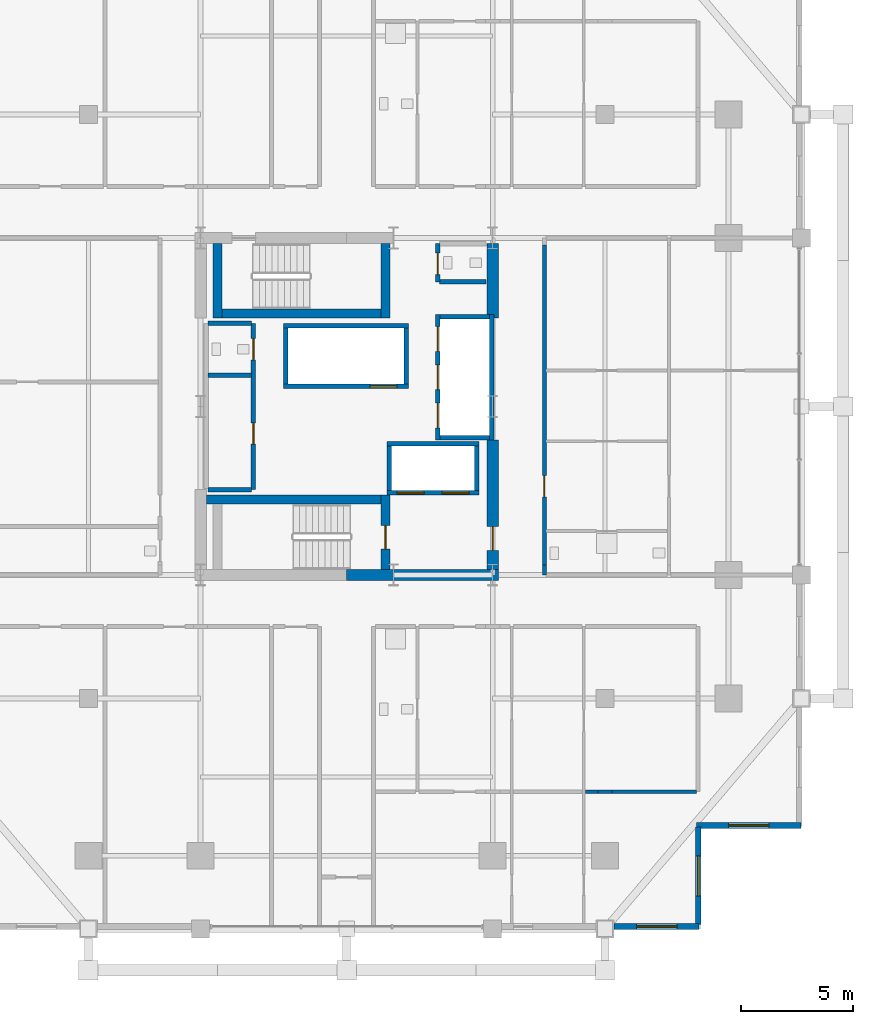
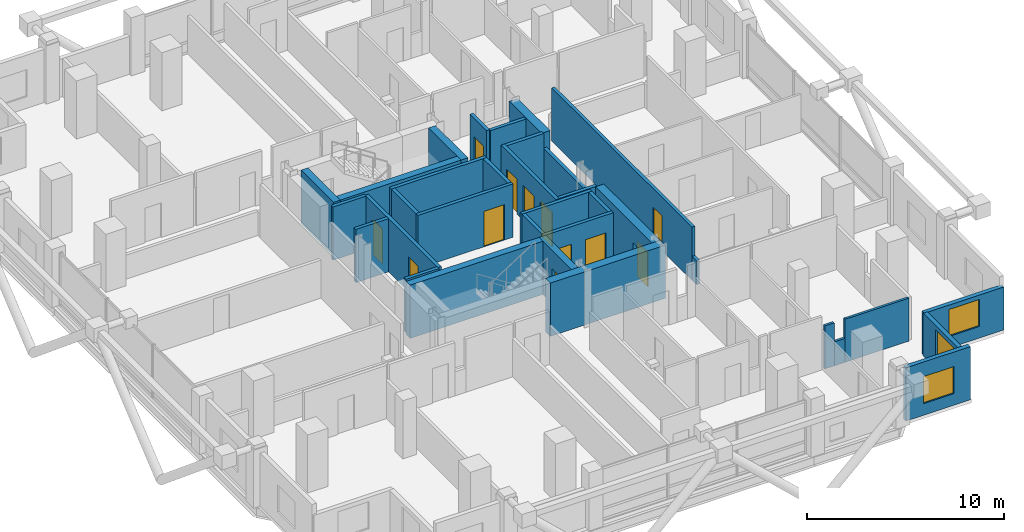
# One storey, part 20 of 25: 34 walls, 12 doors, 3 windows, 15 openings.
"""IFC4 building model written with IfcOpenShell, lengths in metres."""

from ifc_helpers import new_model, si_unit, direction, frame, frame_2d, origin, place, context, subcontext, project, spatial, rectangle, extrude, material, layer, layer_set, type_object, element, fill, save


model = new_model("IFC4")

# Units and contexts
model_context = context("Model", 3, precision=1e-05, world=origin(), true_north=direction((0.0, 1.0)))
body_context = subcontext(model_context, "Body", "Model", "MODEL_VIEW")
ifc_project = project(units=[si_unit("LENGTHUNIT", "METRE"), si_unit("AREAUNIT", "SQUARE_METRE"), si_unit("VOLUMEUNIT", "CUBIC_METRE"), si_unit("PLANEANGLEUNIT", "RADIAN"), si_unit("MASSUNIT", "GRAM", prefix="KILO")], contexts=[model_context])

# Site, building, storey
site_placement = place(None, origin())
site = spatial("IfcSite", under=ifc_project, at=site_placement, CompositionType="ELEMENT")
building_placement = place(site_placement, origin())
building = spatial("IfcBuilding", under=site, at=building_placement, Name="Barlavira Tower and Art Museum", CompositionType="ELEMENT")
storey_placement = place(building_placement, frame((0.0, 0.0, 162.0)))
storey = spatial("IfcBuildingStorey", under=building, at=storey_placement, Name="L41", CompositionType="ELEMENT", Elevation=162.0)

# Wall
ifc_material_1 = material(Name="Concrete C60", Category="concrete")
ifc_layer_1 = layer(ifc_material_1, 0.5, Name="Concrete C60")
ifc_layer_set_1 = layer_set([ifc_layer_1], Name="Concrete C60")
wall_type_1 = type_object("IfcWallType", Name="Core Structural Shear Wall 500 Concrete C60", PredefinedType="SHEAR", material=ifc_layer_set_1)
wall_1_placement = place(storey_placement, frame((0.0, -7.5, 0.0), z_axis=(0.0, 0.0, 1.0), x_axis=(1.0, 0.0, 0.0)))
element("IfcWall", 1, at=wall_1_placement, inside=storey, type_object=wall_type_1, Name="L41 Core Shear Wall CS-SE", PredefinedType="SHEAR", context=body_context, shape_type="SweptSolid", body=[
    extrude(rectangle(XDim=6.75, YDim=0.5, at=frame_2d((3.375, 0.0))), origin(), (0.0, 0.0, 1.0), 3.300048828125),
])

# Wall, opening, door
wall_2_placement = place(storey_placement, frame((6.5, -7.25, 0.0), z_axis=(0.0, 0.0, 1.0), x_axis=(0.0, 1.0, 0.0)))
wall_2 = element("IfcWall", 2, at=wall_2_placement, inside=storey, type_object=wall_type_1, Name="L41 Core Shear Wall CS-E1", PredefinedType="SHEAR", context=body_context, shape_type="SweptSolid", body=[
    extrude(rectangle(XDim=5.75, YDim=0.5, at=frame_2d((2.875, 0.0))), origin(), (0.0, 0.0, 1.0), 3.300048828125),
])
opening_1_placement = place(wall_2_placement, frame((0.85009765625, 0.0, 0.0)))
opening_1 = element("IfcOpeningElement", 3, at=opening_1_placement, cuts=wall_2, Name="Opening FD-90", PredefinedType="OPENING", context=body_context, shape_type="SweptSolid", body=[
    extrude(rectangle(XDim=1.050048828125, YDim=2.14990234375, at=frame_2d((0.52490234375, 1.074951171875))), frame((0.0, 0.260009765625, 0.0), z_axis=(0.0, -1.0, 0.0), x_axis=(1.0, 0.0, 0.0)), (0.0, 0.0, 1.0), 0.52001953125),
])
ifc_material_2 = material(Name="Brushed stainless steel", Category="steel")
door_type_1 = type_object("IfcDoorType", Name="Stair and Refuge Fire Door 1050x2150 FD90S", OperationType="NOTDEFINED", PredefinedType="DOOR", material=ifc_material_2)
door_1_placement = place(opening_1_placement, origin())
door_1 = element("IfcDoor", 4, at=door_1_placement, inside=storey, type_object=door_type_1, Name="L41 Firefighting Lobby Entry Fire Door", OperationType="SINGLE_SWING_LEFT", OverallHeight=2.14990234375, OverallWidth=1.050048828125, PredefinedType="DOOR", context=body_context, shape_type="SweptSolid", body=[
    extrude(rectangle(XDim=1.050048828125, YDim=2.14990234375, at=frame_2d((0.52490234375, 1.074951171875))), frame((0.0, 0.02490234375, 0.0), z_axis=(0.0, -1.0, 0.0), x_axis=(1.0, 0.0, 0.0)), (0.0, 0.0, 1.0), 0.050048828125),
])
fill(opening_1, door_1)

# Wall
wall_3_placement = place(storey_placement, frame((6.5, 3.949951171875, 0.0), z_axis=(0.0, 0.0, 1.0), x_axis=(0.0, 1.0, 0.0)))
element("IfcWall", 5, at=wall_3_placement, inside=storey, type_object=wall_type_1, Name="L41 Core Shear Wall CS-E2", PredefinedType="SHEAR", context=body_context, shape_type="SweptSolid", body=[
    extrude(rectangle(XDim=3.300048828125, YDim=0.5, at=frame_2d((1.64990234375, 0.0))), origin(), (0.0, 0.0, 1.0), 3.300048828125),
])

# Wall, openings, doors
ifc_material_3 = material(Name="Autoclaved aerated concrete masonry", Category="masonry")
ifc_layer_2 = layer(ifc_material_3, 0.199951171875, Name="Autoclaved aerated concrete masonry")
ifc_layer_set_2 = layer_set([ifc_layer_2], Name="Autoclaved aerated concrete masonry")
wall_type_2 = type_object("IfcWallType", Name="Fire Compartment and Shaft Wall 200", PredefinedType="SOLIDWALL", material=ifc_layer_set_2)
wall_4_placement = place(storey_placement, frame((4.050048828125, -1.489990234375, 0.0), z_axis=(0.0, 0.0, 1.0), x_axis=(0.0, 1.0, 0.0)))
wall_4 = element("IfcWall", 6, at=wall_4_placement, inside=storey, type_object=wall_type_2, Name="L41 Mid-Rise Lift Front Shaft Wall", PredefinedType="SOLIDWALL", context=body_context, shape_type="SweptSolid", body=[
    extrude(rectangle(XDim=5.580078125, YDim=0.199951171875, at=frame_2d((2.7900390625, 0.0))), origin(), (0.0, 0.0, 1.0), 3.300048828125),
])
opening_2_placement = place(wall_4_placement, frame((0.5400390625, 0.0, 0.0)))
opening_2 = element("IfcOpeningElement", 7, at=opening_2_placement, cuts=wall_4, Name="Opening LD-P", PredefinedType="OPENING", context=body_context, shape_type="SweptSolid", body=[
    extrude(rectangle(XDim=1.10009765625, YDim=2.14990234375, at=frame_2d((0.550048828125, 1.074951171875))), frame((0.0, 0.10986328125, 0.0), z_axis=(0.0, -1.0, 0.0), x_axis=(1.0, 0.0, 0.0)), (0.0, 0.0, 1.0), 0.219970703125),
])
opening_3_placement = place(wall_4_placement, frame((2.239990234375, 0.0, 0.0)))
opening_3 = element("IfcOpeningElement", 8, at=opening_3_placement, cuts=wall_4, Name="Opening LD-P", PredefinedType="OPENING", context=body_context, shape_type="SweptSolid", body=[
    extrude(rectangle(XDim=1.10009765625, YDim=2.14990234375, at=frame_2d((0.550048828125, 1.074951171875))), frame((0.0, 0.10986328125, 0.0), z_axis=(0.0, -1.0, 0.0), x_axis=(1.0, 0.0, 0.0)), (0.0, 0.0, 1.0), 0.219970703125),
])
opening_4_placement = place(wall_4_placement, frame((3.93994140625, 0.0, 0.0)))
opening_4 = element("IfcOpeningElement", 9, at=opening_4_placement, cuts=wall_4, Name="Opening LD-P", PredefinedType="OPENING", context=body_context, shape_type="SweptSolid", body=[
    extrude(rectangle(XDim=1.10009765625, YDim=2.14990234375, at=frame_2d((0.550048828125, 1.074951171875))), frame((0.0, 0.10986328125, 0.0), z_axis=(0.0, -1.0, 0.0), x_axis=(1.0, 0.0, 0.0)), (0.0, 0.0, 1.0), 0.219970703125),
])
door_type_2 = type_object("IfcDoorType", Name="Passenger Lift Sliding Landing Door 1100x2150 FD60", OperationType="NOTDEFINED", PredefinedType="DOOR", material=ifc_material_2)
door_2_placement = place(opening_2_placement, origin())
door_2 = element("IfcDoor", 10, at=door_2_placement, inside=storey, type_object=door_type_2, Name="L41 Lift PM1 Sliding Landing Door", OperationType="DOUBLE_DOOR_SLIDING", OverallHeight=2.14990234375, OverallWidth=1.10009765625, PredefinedType="DOOR", context=body_context, shape_type="SweptSolid", body=[
    extrude(rectangle(XDim=1.10009765625, YDim=2.14990234375, at=frame_2d((0.550048828125, 1.074951171875))), frame((0.0, 0.02490234375, 0.0), z_axis=(0.0, -1.0, 0.0), x_axis=(1.0, 0.0, 0.0)), (0.0, 0.0, 1.0), 0.050048828125),
])
fill(opening_2, door_2)
door_3_placement = place(opening_3_placement, origin())
door_3 = element("IfcDoor", 11, at=door_3_placement, inside=storey, type_object=door_type_2, Name="L41 Lift PM2 Sliding Landing Door", OperationType="DOUBLE_DOOR_SLIDING", OverallHeight=2.14990234375, OverallWidth=1.10009765625, PredefinedType="DOOR", context=body_context, shape_type="SweptSolid", body=[
    extrude(rectangle(XDim=1.10009765625, YDim=2.14990234375, at=frame_2d((0.550048828125, 1.074951171875))), frame((0.0, 0.02490234375, 0.0), z_axis=(0.0, -1.0, 0.0), x_axis=(1.0, 0.0, 0.0)), (0.0, 0.0, 1.0), 0.050048828125),
])
fill(opening_3, door_3)
door_4_placement = place(opening_4_placement, origin())
door_4 = element("IfcDoor", 12, at=door_4_placement, inside=storey, type_object=door_type_2, Name="L41 Lift PM3 Sliding Landing Door", OperationType="DOUBLE_DOOR_SLIDING", OverallHeight=2.14990234375, OverallWidth=1.10009765625, PredefinedType="DOOR", context=body_context, shape_type="SweptSolid", body=[
    extrude(rectangle(XDim=1.10009765625, YDim=2.14990234375, at=frame_2d((0.550048828125, 1.074951171875))), frame((0.0, 0.02490234375, 0.0), z_axis=(0.0, -1.0, 0.0), x_axis=(1.0, 0.0, 0.0)), (0.0, 0.0, 1.0), 0.050048828125),
])
fill(opening_4, door_4)

# Walls
wall_5_placement = place(storey_placement, frame((6.449951171875, -1.489990234375, 0.0), z_axis=(0.0, 0.0, 1.0), x_axis=(0.0, 1.0, 0.0)))
element("IfcWall", 13, at=wall_5_placement, inside=storey, type_object=wall_type_2, Name="L41 Mid-Rise Lift Back Shaft Wall", PredefinedType="SOLIDWALL", context=body_context, shape_type="SweptSolid", body=[
    extrude(rectangle(XDim=5.580078125, YDim=0.199951171875, at=frame_2d((2.7900390625, 0.0))), origin(), (0.0, 0.0, 1.0), 2.35302734375),
])
for number, where, z_axis, x_axis, name in (
    (14, (4.14990234375, -1.389892578125, 0.0), (0.0, 0.0, 1.0), (1.0, 0.0, 0.0), "L41 Mid-Rise Lift South Shaft Wall"),
    (15, (4.14990234375, 3.989990234375, 0.0), (0.0, 0.0, 1.0), (1.0, 0.0, 0.0), "L41 Mid-Rise Lift North Shaft Wall"),
):
    element("IfcWall", number, at=place(storey_placement, frame(where, z_axis=z_axis, x_axis=x_axis)), inside=storey, type_object=wall_type_2, Name=name, PredefinedType="SOLIDWALL", context=body_context, shape_type="SweptSolid", body=[
        extrude(rectangle(XDim=2.2001953125, YDim=0.199951171875, at=frame_2d((1.10009765625, 0.0))), origin(), (0.0, 0.0, 1.0), 3.300048828125),
    ])

# Wall, opening, door
wall_6_placement = place(storey_placement, frame((-2.820068359375, 0.89990234375, 0.0), z_axis=(0.0, 0.0, 1.0), x_axis=(1.0, 0.0, 0.0)))
wall_6 = element("IfcWall", 16, at=wall_6_placement, inside=storey, type_object=wall_type_2, Name="L41 High-Rise & Service Lift Front Wall", PredefinedType="SOLIDWALL", context=body_context, shape_type="SweptSolid", body=[
    extrude(rectangle(XDim=5.580078125, YDim=0.199951171875, at=frame_2d((2.7900390625, 0.0))), origin(), (0.0, 0.0, 1.0), 3.300048828125),
])
opening_5_placement = place(wall_6_placement, frame((3.860107421875, 0.0, 0.0)))
opening_5 = element("IfcOpeningElement", 17, at=opening_5_placement, cuts=wall_6, Name="Opening LD-F", PredefinedType="OPENING", context=body_context, shape_type="SweptSolid", body=[
    extrude(rectangle(XDim=1.199951171875, YDim=2.199951171875, at=frame_2d((0.60009765625, 1.10009765625))), frame((0.0, 0.10986328125, 0.0), z_axis=(0.0, -1.0, 0.0), x_axis=(1.0, 0.0, 0.0)), (0.0, 0.0, 1.0), 0.219970703125),
])
door_type_3 = type_object("IfcDoorType", Name="Firefighting and Service Lift Sliding Door 1200x2200 FD120", OperationType="NOTDEFINED", PredefinedType="DOOR", material=ifc_material_2)
door_5_placement = place(opening_5_placement, origin())
door_5 = element("IfcDoor", 18, at=door_5_placement, inside=storey, type_object=door_type_3, Name="L41 Stretcher Service Lift SL1 Sliding Door", OperationType="DOUBLE_DOOR_SLIDING", OverallHeight=2.199951171875, OverallWidth=1.199951171875, PredefinedType="DOOR", context=body_context, shape_type="SweptSolid", body=[
    extrude(rectangle(XDim=1.199951171875, YDim=2.199951171875, at=frame_2d((0.60009765625, 1.10009765625))), frame((0.0, 0.02490234375, 0.0), z_axis=(0.0, -1.0, 0.0), x_axis=(1.0, 0.0, 0.0)), (0.0, 0.0, 1.0), 0.050048828125),
])
fill(opening_5, door_5)

# Walls
wall_7_placement = place(storey_placement, frame((-2.820068359375, 3.60009765625, 0.0), z_axis=(0.0, 0.0, 1.0), x_axis=(1.0, 0.0, 0.0)))
element("IfcWall", 19, at=wall_7_placement, inside=storey, type_object=wall_type_2, Name="L41 High-Rise & Service Lift Back Wall", PredefinedType="SOLIDWALL", context=body_context, shape_type="SweptSolid", body=[
    extrude(rectangle(XDim=5.580078125, YDim=0.199951171875, at=frame_2d((2.7900390625, 0.0))), origin(), (0.0, 0.0, 1.0), 3.300048828125),
])
for number, where, z_axis, x_axis, name in (
    (20, (-2.719970703125, 1.0, 0.0), (0.0, 0.0, 1.0), (0.0, 1.0, 0.0), "L41 High-Rise & Service Lift West Wall"),
    (21, (2.659912109375, 1.0, 0.0), (0.0, 0.0, 1.0), (0.0, 1.0, 0.0), "L41 High-Rise & Service Lift East Wall"),
):
    element("IfcWall", number, at=place(storey_placement, frame(where, z_axis=z_axis, x_axis=x_axis)), inside=storey, type_object=wall_type_2, Name=name, PredefinedType="SOLIDWALL", context=body_context, shape_type="SweptSolid", body=[
        extrude(rectangle(XDim=2.5, YDim=0.199951171875, at=frame_2d((1.25, 0.0))), origin(), (0.0, 0.0, 1.0), 3.300048828125),
    ])

# Wall, openings, doors
wall_8_placement = place(storey_placement, frame((1.800048828125, -3.85009765625, 0.0), z_axis=(0.0, 0.0, 1.0), x_axis=(1.0, 0.0, 0.0)))
wall_8 = element("IfcWall", 22, at=wall_8_placement, inside=storey, type_object=wall_type_2, Name="L41 Firefighting Lift Front Shaft Wall", PredefinedType="SOLIDWALL", context=body_context, shape_type="SweptSolid", body=[
    extrude(rectangle(XDim=4.099853515625, YDim=0.199951171875, at=frame_2d((2.0498046875, 0.0))), origin(), (0.0, 0.0, 1.0), 3.300048828125),
])
opening_6_placement = place(wall_8_placement, frame((0.449951171875, 0.0, 0.0)))
opening_6 = element("IfcOpeningElement", 23, at=opening_6_placement, cuts=wall_8, Name="Opening LD-F", PredefinedType="OPENING", context=body_context, shape_type="SweptSolid", body=[
    extrude(rectangle(XDim=1.199951171875, YDim=2.199951171875, at=frame_2d((0.60009765625, 1.10009765625))), frame((0.0, 0.10986328125, 0.0), z_axis=(0.0, -1.0, 0.0), x_axis=(1.0, 0.0, 0.0)), (0.0, 0.0, 1.0), 0.219970703125),
])
opening_7_placement = place(wall_8_placement, frame((2.449951171875, 0.0, 0.0)))
opening_7 = element("IfcOpeningElement", 24, at=opening_7_placement, cuts=wall_8, Name="Opening LD-F", PredefinedType="OPENING", context=body_context, shape_type="SweptSolid", body=[
    extrude(rectangle(XDim=1.199951171875, YDim=2.199951171875, at=frame_2d((0.60009765625, 1.10009765625))), frame((0.0, 0.10986328125, 0.0), z_axis=(0.0, -1.0, 0.0), x_axis=(1.0, 0.0, 0.0)), (0.0, 0.0, 1.0), 0.219970703125),
])
door_6_placement = place(opening_6_placement, origin())
door_6 = element("IfcDoor", 25, at=door_6_placement, inside=storey, type_object=door_type_3, Name="L41 Firefighting Lift FF1 Sliding Door", OperationType="DOUBLE_DOOR_SLIDING", OverallHeight=2.199951171875, OverallWidth=1.199951171875, PredefinedType="DOOR", context=body_context, shape_type="SweptSolid", body=[
    extrude(rectangle(XDim=1.199951171875, YDim=2.199951171875, at=frame_2d((0.60009765625, 1.10009765625))), frame((0.0, 0.02490234375, 0.0), z_axis=(0.0, -1.0, 0.0), x_axis=(1.0, 0.0, 0.0)), (0.0, 0.0, 1.0), 0.050048828125),
])
fill(opening_6, door_6)
door_7_placement = place(opening_7_placement, origin())
door_7 = element("IfcDoor", 26, at=door_7_placement, inside=storey, type_object=door_type_3, Name="L41 Firefighting Lift FF2 Sliding Door", OperationType="DOUBLE_DOOR_SLIDING", OverallHeight=2.199951171875, OverallWidth=1.199951171875, PredefinedType="DOOR", context=body_context, shape_type="SweptSolid", body=[
    extrude(rectangle(XDim=1.199951171875, YDim=2.199951171875, at=frame_2d((0.60009765625, 1.10009765625))), frame((0.0, 0.02490234375, 0.0), z_axis=(0.0, -1.0, 0.0), x_axis=(1.0, 0.0, 0.0)), (0.0, 0.0, 1.0), 0.050048828125),
])
fill(opening_7, door_7)

# Walls
wall_9_placement = place(storey_placement, frame((1.800048828125, -1.64990234375, 0.0), z_axis=(0.0, 0.0, 1.0), x_axis=(1.0, 0.0, 0.0)))
element("IfcWall", 27, at=wall_9_placement, inside=storey, type_object=wall_type_2, Name="L41 Firefighting Lift Back Shaft Wall", PredefinedType="SOLIDWALL", context=body_context, shape_type="SweptSolid", body=[
    extrude(rectangle(XDim=4.099853515625, YDim=0.199951171875, at=frame_2d((2.0498046875, 0.0))), origin(), (0.0, 0.0, 1.0), 3.300048828125),
])
for number, where, z_axis, x_axis, name in (
    (28, (1.89990234375, -3.75, 0.0), (0.0, 0.0, 1.0), (0.0, 1.0, 0.0), "L41 Firefighting Lift West Shaft Wall"),
    (29, (5.800048828125, -3.75, 0.0), (0.0, 0.0, 1.0), (0.0, 1.0, 0.0), "L41 Firefighting Lift East Shaft Wall"),
):
    element("IfcWall", number, at=place(storey_placement, frame(where, z_axis=z_axis, x_axis=x_axis)), inside=storey, type_object=wall_type_2, Name=name, PredefinedType="SOLIDWALL", context=body_context, shape_type="SweptSolid", body=[
        extrude(rectangle(XDim=2.0, YDim=0.199951171875, at=frame_2d((1.0, 0.0))), origin(), (0.0, 0.0, 1.0), 3.300048828125),
    ])

# Wall, openings, doors
wall_10_placement = place(storey_placement, frame((-4.14990234375, -3.699951171875, 0.0), z_axis=(0.0, 0.0, 1.0), x_axis=(0.0, 1.0, 0.0)))
wall_10 = element("IfcWall", 30, at=wall_10_placement, inside=storey, type_object=wall_type_2, Name="L41 Partition Wall 7", PredefinedType="SOLIDWALL", context=body_context, shape_type="SweptSolid", body=[
    extrude(rectangle(XDim=7.39990234375, YDim=0.199951171875, at=frame_2d((3.699951171875, 0.0))), origin(), (0.0, 0.0, 1.0), 3.300048828125),
])
opening_8_placement = place(wall_10_placement, frame((2.02490234375, 0.0, 0.0)))
opening_8 = element("IfcOpeningElement", 31, at=opening_8_placement, cuts=wall_10, Name="Opening FD-60", PredefinedType="OPENING", context=body_context, shape_type="SweptSolid", body=[
    extrude(rectangle(XDim=0.949951171875, YDim=2.14990234375, at=frame_2d((0.47509765625, 1.074951171875))), frame((0.0, 0.10986328125, 0.0), z_axis=(0.0, -1.0, 0.0), x_axis=(1.0, 0.0, 0.0)), (0.0, 0.0, 1.0), 0.219970703125),
])
opening_9_placement = place(wall_10_placement, frame((5.77490234375, 0.0, 0.0)))
opening_9 = element("IfcOpeningElement", 32, at=opening_9_placement, cuts=wall_10, Name="Opening FD-60", PredefinedType="OPENING", context=body_context, shape_type="SweptSolid", body=[
    extrude(rectangle(XDim=0.949951171875, YDim=2.14990234375, at=frame_2d((0.47509765625, 1.074951171875))), frame((0.0, 0.10986328125, 0.0), z_axis=(0.0, -1.0, 0.0), x_axis=(1.0, 0.0, 0.0)), (0.0, 0.0, 1.0), 0.219970703125),
])
door_type_4 = type_object("IfcDoorType", Name="Apartment Entrance and Riser Fire Door 950x2150 FD60S", OperationType="NOTDEFINED", PredefinedType="DOOR", material=ifc_material_2)
door_8_placement = place(opening_8_placement, origin())
door_8 = element("IfcDoor", 33, at=door_8_placement, inside=storey, type_object=door_type_4, Name="Reclaimed Core Resident Parcel Room Door", OperationType="SINGLE_SWING_RIGHT", OverallHeight=2.14990234375, OverallWidth=0.949951171875, PredefinedType="DOOR", context=body_context, shape_type="SweptSolid", body=[
    extrude(rectangle(XDim=0.949951171875, YDim=2.14990234375, at=frame_2d((0.47509765625, 1.074951171875))), frame((0.0, 0.02490234375, 0.0), z_axis=(0.0, -1.0, 0.0), x_axis=(1.0, 0.0, 0.0)), (0.0, 0.0, 1.0), 0.050048828125),
])
fill(opening_8, door_8)
door_9_placement = place(opening_9_placement, origin())
door_9 = element("IfcDoor", 34, at=door_9_placement, inside=storey, type_object=door_type_4, Name="Reclaimed Core Accessible WC Door", OperationType="SINGLE_SWING_LEFT", OverallHeight=2.14990234375, OverallWidth=0.949951171875, PredefinedType="DOOR", context=body_context, shape_type="SweptSolid", body=[
    extrude(rectangle(XDim=0.949951171875, YDim=2.14990234375, at=frame_2d((0.47509765625, 1.074951171875))), frame((0.0, 0.02490234375, 0.0), z_axis=(0.0, -1.0, 0.0), x_axis=(1.0, 0.0, 0.0)), (0.0, 0.0, 1.0), 0.050048828125),
])
fill(opening_9, door_9)

# Wall, opening, door
wall_11_placement = place(storey_placement, frame((4.050048828125, 5.550048828125, 0.0), z_axis=(0.0, 0.0, 1.0), x_axis=(0.0, 1.0, 0.0)))
wall_11 = element("IfcWall", 35, at=wall_11_placement, inside=storey, type_object=wall_type_2, Name="L41 Partition Wall 16", PredefinedType="SOLIDWALL", context=body_context, shape_type="SweptSolid", body=[
    extrude(rectangle(XDim=1.699951171875, YDim=0.199951171875, at=frame_2d((0.85009765625, 0.0))), origin(), (0.0, 0.0, 1.0), 3.300048828125),
])
opening_10_placement = place(wall_11_placement, frame((0.324951171875, 0.0, 0.0)))
opening_10 = element("IfcOpeningElement", 36, at=opening_10_placement, cuts=wall_11, Name="Opening FD-60", PredefinedType="OPENING", context=body_context, shape_type="SweptSolid", body=[
    extrude(rectangle(XDim=0.949951171875, YDim=2.14990234375, at=frame_2d((0.47509765625, 1.074951171875))), frame((0.0, 0.10986328125, 0.0), z_axis=(0.0, -1.0, 0.0), x_axis=(1.0, 0.0, 0.0)), (0.0, 0.0, 1.0), 0.219970703125),
])
door_10_placement = place(opening_10_placement, origin())
door_10 = element("IfcDoor", 37, at=door_10_placement, inside=storey, type_object=door_type_4, Name="Core Accessible Washroom Door", OperationType="SINGLE_SWING_RIGHT", OverallHeight=2.14990234375, OverallWidth=0.949951171875, PredefinedType="DOOR", context=body_context, shape_type="SweptSolid", body=[
    extrude(rectangle(XDim=0.949951171875, YDim=2.14990234375, at=frame_2d((0.47509765625, 1.074951171875))), frame((0.0, 0.02490234375, 0.0), z_axis=(0.0, -1.0, 0.0), x_axis=(1.0, 0.0, 0.0)), (0.0, 0.0, 1.0), 0.050048828125),
])
fill(opening_10, door_10)

# Walls
for number, where, z_axis, x_axis, name in (
    (38, (-6.169921875, -3.699951171875, 0.0), (0.0, 0.0, 1.0), (1.0, 0.0, 0.0), "L41 Partition Wall 58"),
    (39, (-6.169921875, 1.39990234375, 0.0), (0.0, 0.0, 1.0), (1.0, 0.0, 0.0), "L41 Partition Wall 61"),
    (40, (-6.169921875, 3.699951171875, 0.0), (0.0, 0.0, 1.0), (1.0, 0.0, 0.0), "L41 Partition Wall 64"),
):
    element("IfcWall", number, at=place(storey_placement, frame(where, z_axis=z_axis, x_axis=x_axis)), inside=storey, type_object=wall_type_2, Name=name, PredefinedType="SOLIDWALL", context=body_context, shape_type="SweptSolid", body=[
        extrude(rectangle(XDim=1.93994140625, YDim=0.199951171875, at=frame_2d((0.969970703125, 0.0))), origin(), (0.0, 0.0, 1.0), 3.300048828125),
    ])
wall_12_placement = place(storey_placement, frame((4.1298828125, 5.550048828125, 0.0), z_axis=(0.0, 0.0, 1.0), x_axis=(1.0, 0.0, 0.0)))
element("IfcWall", 41, at=wall_12_placement, inside=storey, type_object=wall_type_2, Name="L41 Partition Wall 65", PredefinedType="SOLIDWALL", context=body_context, shape_type="SweptSolid", body=[
    extrude(rectangle(XDim=2.070068359375, YDim=0.199951171875, at=frame_2d((1.03515625, 0.0))), origin(), (0.0, 0.0, 1.0), 3.300048828125),
])
ifc_material_4 = material(Name="Gypsum acoustic stud partition", Category="gypsum")
ifc_layer_3 = layer(ifc_material_4, 0.179931640625, Name="Gypsum acoustic stud partition")
ifc_layer_set_3 = layer_set([ifc_layer_3], Name="Gypsum acoustic stud partition")
wall_type_3 = type_object("IfcWallType", Name="Inter-Tenancy Party Partition Wall 180", PredefinedType="PARTITIONING", material=ifc_layer_set_3)
wall_13_placement = place(storey_placement, frame((8.800048828125, -7.5, 0.0), z_axis=(0.0, 0.0, 1.0), x_axis=(0.0, 1.0, 0.0)))
element("IfcWall", 42, at=wall_13_placement, inside=storey, type_object=wall_type_3, Name="L41 Partition Wall 19", PredefinedType="PARTITIONING", context=body_context, shape_type="SweptSolid", body=[
    extrude(rectangle(XDim=0.449951171875, YDim=0.179931640625, at=frame_2d((0.22509765625, 0.0))), origin(), (0.0, 0.0, 1.0), 1.485107421875),
])

# Wall, opening, door
wall_14_placement = place(storey_placement, frame((8.800048828125, -7.050048828125, 0.0), z_axis=(0.0, 0.0, 1.0), x_axis=(0.0, 1.0, 0.0)))
wall_14 = element("IfcWall", 43, at=wall_14_placement, inside=storey, type_object=wall_type_3, Name="L41 Partition Wall 20", PredefinedType="PARTITIONING", context=body_context, shape_type="SweptSolid", body=[
    extrude(rectangle(XDim=14.235107421875, YDim=0.179931640625, at=frame_2d((7.11767578125, 0.0))), origin(), (0.0, 0.0, 1.0), 3.300048828125),
])
opening_11_placement = place(wall_14_placement, frame((3.02490234375, 0.0, 0.0)))
opening_11 = element("IfcOpeningElement", 44, at=opening_11_placement, cuts=wall_14, Name="Opening FD-60", PredefinedType="OPENING", context=body_context, shape_type="SweptSolid", body=[
    extrude(rectangle(XDim=0.949951171875, YDim=2.14990234375, at=frame_2d((0.47509765625, 1.074951171875))), frame((0.0, 0.10009765625, 0.0), z_axis=(0.0, -1.0, 0.0), x_axis=(1.0, 0.0, 0.0)), (0.0, 0.0, 1.0), 0.199951171875),
])
door_11_placement = place(opening_11_placement, origin())
door_11 = element("IfcDoor", 45, at=door_11_placement, inside=storey, type_object=door_type_4, Name="Apartment Entrance Hall E1 Door", OperationType="SINGLE_SWING_LEFT", OverallHeight=2.14990234375, OverallWidth=0.949951171875, PredefinedType="DOOR", context=body_context, shape_type="SweptSolid", body=[
    extrude(rectangle(XDim=0.949951171875, YDim=2.14990234375, at=frame_2d((0.47509765625, 1.074951171875))), frame((0.0, 0.02490234375, 0.0), z_axis=(0.0, -1.0, 0.0), x_axis=(1.0, 0.0, 0.0)), (0.0, 0.0, 1.0), 0.050048828125),
])
fill(opening_11, door_11)

# Walls
ifc_layer_4 = layer(ifc_material_4, 0.139892578125, Name="Gypsum acoustic stud partition")
ifc_layer_set_4 = layer_set([ifc_layer_4], Name="Gypsum acoustic stud partition")
wall_type_4 = type_object("IfcWallType", Name="Moisture-Resistant Bathroom Partition 140", PredefinedType="PARTITIONING", material=ifc_layer_set_4)
wall_15_placement = place(storey_placement, frame((10.6298828125, -17.14990234375, 0.0), z_axis=(0.0, 0.0, 1.0), x_axis=(1.0, 0.0, 0.0)))
element("IfcWall", 46, at=wall_15_placement, inside=storey, type_object=wall_type_4, Name="L41 Partition Wall 39", PredefinedType="PARTITIONING", context=body_context, shape_type="SweptSolid", body=[
    extrude(rectangle(XDim=0.55517578125, YDim=0.139892578125, at=frame_2d((0.277587890625, 0.0))), origin(), (0.0, 0.0, 1.0), 2.66796875),
])
wall_16_placement = place(storey_placement, frame((11.18505859375, -17.14990234375, 0.0), z_axis=(0.0, 0.0, 1.0), x_axis=(1.0, 0.0, 0.0)))
element("IfcWall", 47, at=wall_16_placement, inside=storey, type_object=wall_type_4, Name="L41 Partition Wall 40", PredefinedType="PARTITIONING", context=body_context, shape_type="SweptSolid", body=[
    extrude(rectangle(XDim=0.6298828125, YDim=0.139892578125, at=frame_2d((0.31494140625, 0.0))), origin(), (0.0, 0.0, 1.0), 1.485107421875),
])
wall_17_placement = place(storey_placement, frame((11.81494140625, -17.14990234375, 0.0), z_axis=(0.0, 0.0, 1.0), x_axis=(1.0, 0.0, 0.0)))
element("IfcWall", 48, at=wall_17_placement, inside=storey, type_object=wall_type_4, Name="L41 Partition Wall 41", PredefinedType="PARTITIONING", context=body_context, shape_type="SweptSolid", body=[
    extrude(rectangle(XDim=3.755126953125, YDim=0.139892578125, at=frame_2d((1.87744140625, 0.0))), origin(), (0.0, 0.0, 1.0), 2.66796875),
])

# Wall, opening, window
ifc_material_5 = material(Name="Precast concrete C40", Category="concrete")
ifc_layer_5 = layer(ifc_material_5, 0.25, Name="Precast concrete C40")
ifc_layer_set_5 = layer_set([ifc_layer_5], Name="Precast concrete C40")
wall_type_5 = type_object("IfcWallType", Name="Notched Corner Spandrel Wall 250 Precast Concrete C40", PredefinedType="SOLIDWALL", material=ifc_layer_set_5)
wall_18_placement = place(storey_placement, frame((11.89501953125, -23.14990234375, 0.0), z_axis=(0.0, 0.0, 1.0), x_axis=(1.0, 0.0, 0.0)))
wall_18 = element("IfcWall", 49, at=wall_18_placement, inside=storey, type_object=wall_type_5, Name="L41 Coastal Facade Pier Wall CW2-L41-S-5", PredefinedType="SOLIDWALL", context=body_context, shape_type="SweptSolid", body=[
    extrude(rectangle(XDim=3.780029296875, YDim=0.25, at=frame_2d((1.89013671875, 0.0))), origin(), (0.0, 0.0, 1.0), 3.300048828125),
])
opening_12_placement = place(wall_18_placement, frame((1.012939453125, 0.0, 0.719970703125)))
opening_12 = element("IfcOpeningElement", 50, at=opening_12_placement, cuts=wall_18, Name="Opening WN-01", PredefinedType="OPENING", context=body_context, shape_type="SweptSolid", body=[
    extrude(rectangle(XDim=1.800048828125, YDim=1.679931640625, at=frame_2d((0.89990234375, 0.83984375))), frame((0.0, 0.135009765625, 0.0), z_axis=(0.0, -1.0, 0.0), x_axis=(1.0, 0.0, 0.0)), (0.0, 0.0, 1.0), 0.27001953125),
])
ifc_material_6 = material(Name="Low-iron coastal laminated glass", Category="glass")
window_type = type_object("IfcWindowType", Name="Recessed Notch Corner Punch Window 1800x1680", PartitioningType="SINGLE_PANEL", PredefinedType="WINDOW", material=ifc_material_6)
window_1_placement = place(opening_12_placement, origin())
window_1 = element("IfcWindow", 51, at=window_1_placement, inside=storey, type_object=window_type, Name="L41 Punched Facade Window EWP-CW2-L41-S-5-1", OverallHeight=1.679931640625, OverallWidth=1.800048828125, PartitioningType="SINGLE_PANEL", PredefinedType="WINDOW", context=body_context, shape_type="SweptSolid", body=[
    extrude(rectangle(XDim=1.800048828125, YDim=1.679931640625, at=frame_2d((0.89990234375, 0.83984375))), frame((0.0, 0.030029296875, 0.0), z_axis=(0.0, -1.0, 0.0), x_axis=(1.0, 0.0, 0.0)), (0.0, 0.0, 1.0), 0.06005859375),
])
fill(opening_12, window_1)

wall_19_placement = place(storey_placement, frame((15.64990234375, -23.070068359375, 0.0), z_axis=(0.0, 0.0, 1.0), x_axis=(0.0, 1.0, 0.0)))
wall_19 = element("IfcWall", 52, at=wall_19_placement, inside=storey, type_object=wall_type_5, Name="L41 Notch Corner Wall SE1", PredefinedType="SOLIDWALL", context=body_context, shape_type="SweptSolid", body=[
    extrude(rectangle(XDim=4.340087890625, YDim=0.25, at=frame_2d((2.169921875, 0.0))), origin(), (0.0, 0.0, 1.0), 2.66796875),
])
opening_13_placement = place(wall_19_placement, frame((1.27001953125, 0.0, 0.719970703125)))
opening_13 = element("IfcOpeningElement", 53, at=opening_13_placement, cuts=wall_19, Name="Opening WN-01", PredefinedType="OPENING", context=body_context, shape_type="SweptSolid", body=[
    extrude(rectangle(XDim=1.800048828125, YDim=1.679931640625, at=frame_2d((0.89990234375, 0.83984375))), frame((0.0, 0.135009765625, 0.0), z_axis=(0.0, -1.0, 0.0), x_axis=(1.0, 0.0, 0.0)), (0.0, 0.0, 1.0), 0.27001953125),
])
window_2_placement = place(opening_13_placement, origin())
window_2 = element("IfcWindow", 54, at=window_2_placement, inside=storey, type_object=window_type, Name="L41 Punched Facade Window EW-NTC-L41-SE1-1", OverallHeight=1.679931640625, OverallWidth=1.800048828125, PartitioningType="SINGLE_PANEL", PredefinedType="WINDOW", context=body_context, shape_type="SweptSolid", body=[
    extrude(rectangle(XDim=1.800048828125, YDim=1.679931640625, at=frame_2d((0.89990234375, 0.83984375))), frame((0.0, 0.030029296875, 0.0), z_axis=(0.0, -1.0, 0.0), x_axis=(1.0, 0.0, 0.0)), (0.0, 0.0, 1.0), 0.06005859375),
])
fill(opening_13, window_2)

wall_20_placement = place(storey_placement, frame((15.570068359375, -18.64990234375, 0.0), z_axis=(0.0, 0.0, 1.0), x_axis=(1.0, 0.0, 0.0)))
wall_20 = element("IfcWall", 55, at=wall_20_placement, inside=storey, type_object=wall_type_5, Name="L41 Notch Corner Wall SE2", PredefinedType="SOLIDWALL", context=body_context, shape_type="SweptSolid", body=[
    extrude(rectangle(XDim=4.659912109375, YDim=0.25, at=frame_2d((2.330078125, 0.0))), origin(), (0.0, 0.0, 1.0), 2.66796875),
])
opening_14_placement = place(wall_20_placement, frame((1.429931640625, 0.0, 0.719970703125)))
opening_14 = element("IfcOpeningElement", 56, at=opening_14_placement, cuts=wall_20, Name="Opening WN-01", PredefinedType="OPENING", context=body_context, shape_type="SweptSolid", body=[
    extrude(rectangle(XDim=1.800048828125, YDim=1.679931640625, at=frame_2d((0.89990234375, 0.83984375))), frame((0.0, 0.135009765625, 0.0), z_axis=(0.0, -1.0, 0.0), x_axis=(1.0, 0.0, 0.0)), (0.0, 0.0, 1.0), 0.27001953125),
])
window_3_placement = place(opening_14_placement, origin())
window_3 = element("IfcWindow", 57, at=window_3_placement, inside=storey, type_object=window_type, Name="L41 Punched Facade Window EW-NTC-L41-SE2-1", OverallHeight=1.679931640625, OverallWidth=1.800048828125, PartitioningType="SINGLE_PANEL", PredefinedType="WINDOW", context=body_context, shape_type="SweptSolid", body=[
    extrude(rectangle(XDim=1.800048828125, YDim=1.679931640625, at=frame_2d((0.89990234375, 0.83984375))), frame((0.0, 0.030029296875, 0.0), z_axis=(0.0, -1.0, 0.0), x_axis=(1.0, 0.0, 0.0)), (0.0, 0.0, 1.0), 0.06005859375),
])
fill(opening_14, window_3)

# Wall
ifc_material_7 = material(Name="Concrete C55", Category="concrete")
ifc_layer_6 = layer(ifc_material_7, 0.39990234375, Name="Concrete C55")
ifc_layer_set_6 = layer_set([ifc_layer_6], Name="Concrete C55")
wall_type_6 = type_object("IfcWallType", Name="Upper Core Shear Wall 400 Concrete C55", PredefinedType="SHEAR", material=ifc_layer_set_6)
wall_21_placement = place(storey_placement, frame((-6.25, -4.14990234375, 0.0), z_axis=(0.0, 0.0, 1.0), x_axis=(1.0, 0.0, 0.0)))
element("IfcWall", 58, at=wall_21_placement, inside=storey, type_object=wall_type_6, Name="L41 ST-T1 North Shaft Wall", PredefinedType="SHEAR", context=body_context, shape_type="SweptSolid", body=[
    extrude(rectangle(XDim=7.780029296875, YDim=0.39990234375, at=frame_2d((3.89013671875, 0.0))), origin(), (0.0, 0.0, 1.0), 3.300048828125),
])

# Wall, opening, door
wall_22_placement = place(storey_placement, frame((1.72998046875, -7.25, 0.0), z_axis=(0.0, 0.0, 1.0), x_axis=(0.0, 1.0, 0.0)))
wall_22 = element("IfcWall", 59, at=wall_22_placement, inside=storey, type_object=wall_type_6, Name="L41 ST-T1 East Landing Wall", PredefinedType="SHEAR", context=body_context, shape_type="SweptSolid", body=[
    extrude(rectangle(XDim=3.300048828125, YDim=0.39990234375, at=frame_2d((1.64990234375, 0.0))), origin(), (0.0, 0.0, 1.0), 3.300048828125),
])
opening_15_placement = place(wall_22_placement, frame((0.89990234375, 0.0, 0.0)))
opening_15 = element("IfcOpeningElement", 60, at=opening_15_placement, cuts=wall_22, Name="Opening FD-90", PredefinedType="OPENING", context=body_context, shape_type="SweptSolid", body=[
    extrude(rectangle(XDim=1.050048828125, YDim=2.14990234375, at=frame_2d((0.52490234375, 1.074951171875))), frame((0.0, 0.2099609375, 0.0), z_axis=(0.0, -1.0, 0.0), x_axis=(1.0, 0.0, 0.0)), (0.0, 0.0, 1.0), 0.419921875),
])
door_12_placement = place(opening_15_placement, origin())
door_12 = element("IfcDoor", 61, at=door_12_placement, inside=storey, type_object=door_type_1, Name="L41 Stair ST-T1 Fire Door", OperationType="SINGLE_SWING_RIGHT", OverallHeight=2.14990234375, OverallWidth=1.050048828125, PredefinedType="DOOR", context=body_context, shape_type="SweptSolid", body=[
    extrude(rectangle(XDim=1.050048828125, YDim=2.14990234375, at=frame_2d((0.52490234375, 1.074951171875))), frame((0.0, 0.02490234375, 0.0), z_axis=(0.0, -1.0, 0.0), x_axis=(1.0, 0.0, 0.0)), (0.0, 0.0, 1.0), 0.050048828125),
])
fill(opening_15, door_12)

# Walls
wall_23_placement = place(storey_placement, frame((-5.550048828125, 4.14990234375, 0.0), z_axis=(0.0, 0.0, 1.0), x_axis=(1.0, 0.0, 0.0)))
element("IfcWall", 62, at=wall_23_placement, inside=storey, type_object=wall_type_6, Name="L41 ST-T2 South Shaft Wall", PredefinedType="SHEAR", context=body_context, shape_type="SweptSolid", body=[
    extrude(rectangle(XDim=7.080078125, YDim=0.39990234375, at=frame_2d((3.5400390625, 0.0))), origin(), (0.0, 0.0, 1.0), 3.300048828125),
])
for number, where, z_axis, x_axis, name in (
    (63, (1.72998046875, 3.949951171875, 0.0), (0.0, 0.0, 1.0), (0.0, 1.0, 0.0), "L41 ST-T2 East Half-Landing Wall"),
    (64, (-5.75, 3.949951171875, 0.0), (0.0, 0.0, 1.0), (0.0, 1.0, 0.0), "L41 ST-T2 West Shaft Wall"),
):
    element("IfcWall", number, at=place(storey_placement, frame(where, z_axis=z_axis, x_axis=x_axis)), inside=storey, type_object=wall_type_6, Name=name, PredefinedType="SHEAR", context=body_context, shape_type="SweptSolid", body=[
        extrude(rectangle(XDim=3.300048828125, YDim=0.39990234375, at=frame_2d((1.64990234375, 0.0))), origin(), (0.0, 0.0, 1.0), 3.300048828125),
    ])

save(model, "model.ifc")
